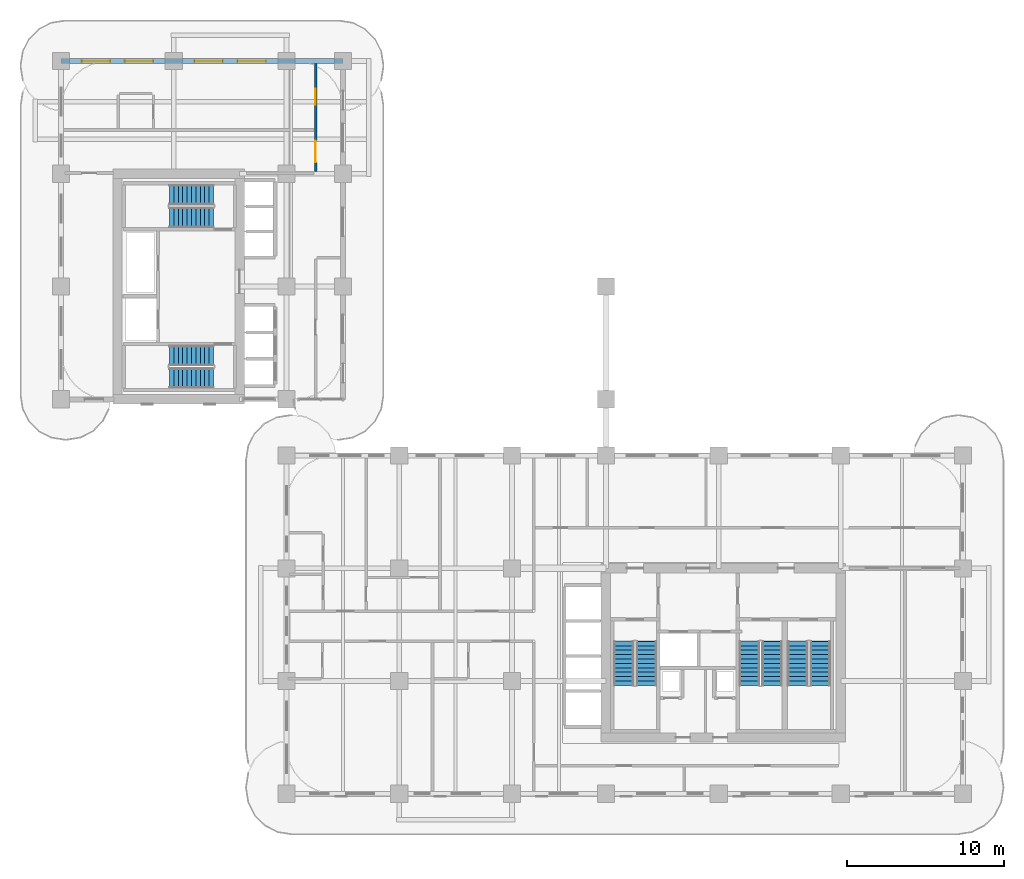
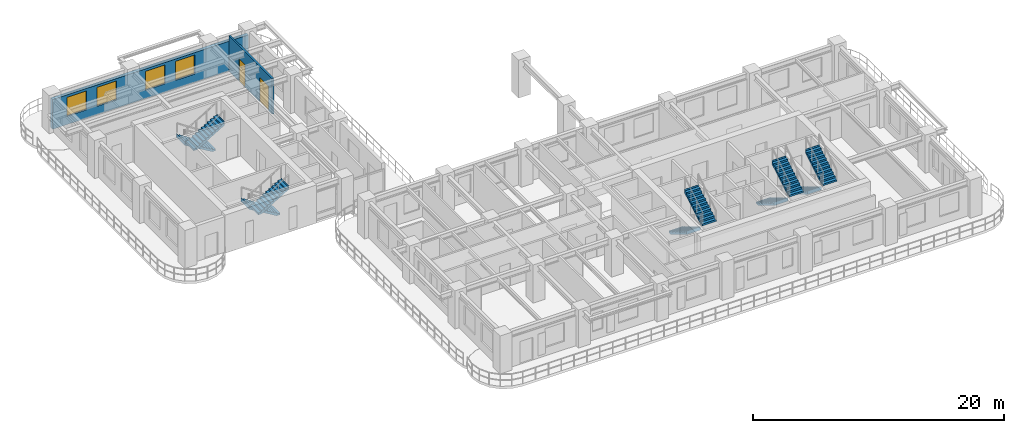
# One storey, part 12 of 19: 10 stair flights, 4 windows, 2 doors, 2 walls, 6 openings, 5 elements without a shape of their own.
"""IFC4 building model written with IfcOpenShell, lengths in metres."""

from ifc_helpers import new_model, si_unit, derived_unit, direction, frame, frame_2d, origin, place, context, subcontext, project, spatial, polyline, rectangle, outline, extrude, source, transform, mapped, material, layer, layer_set, type_object, type_shapes, element, fill, aggregate, save


model = new_model("IFC4")

# Units and contexts
model_context = context("Model", 3, precision=1e-05, world=origin(), true_north=direction((0.0, 1.0)))
body_context = subcontext(model_context, "Body", "Model", "MODEL_VIEW")
ifc_project = project(units=[si_unit("LENGTHUNIT", "METRE"), si_unit("AREAUNIT", "SQUARE_METRE"), si_unit("VOLUMEUNIT", "CUBIC_METRE"), si_unit("PLANEANGLEUNIT", "RADIAN"), si_unit("MASSUNIT", "GRAM", prefix="KILO"), si_unit("THERMODYNAMICTEMPERATUREUNIT", "KELVIN"), si_unit("POWERUNIT", "WATT"), derived_unit("THERMALTRANSMITTANCEUNIT", [(si_unit("POWERUNIT", "WATT"), 1), (si_unit("AREAUNIT", "SQUARE_METRE"), -1), (si_unit("THERMODYNAMICTEMPERATUREUNIT", "KELVIN"), -1)])], contexts=[model_context])

# Site, building, storey
site_placement = place(None, origin())
site = spatial("IfcSite", under=ifc_project, at=site_placement, CompositionType="ELEMENT")
building_placement = place(site_placement, origin())
building = spatial("IfcBuilding", under=site, at=building_placement, Name="Zahravan Archway Hotel and Residences", CompositionType="ELEMENT")
storey_placement = place(building_placement, frame((0.0, 0.0, 39.800048828125)))
storey = spatial("IfcBuildingStorey", under=building, at=storey_placement, Name="L08", CompositionType="ELEMENT", Elevation=39.800048828125)

# Wall, openings, windows
ifc_material_1 = material(Name="Agra Buff Sandstone & Insulated Backup", Category="masonry")
ifc_layer_1 = layer(ifc_material_1, 0.320068359375, Name="Agra Buff Sandstone & Insulated Backup", Category="masonry")
ifc_layer_set_1 = layer_set([ifc_layer_1], Name="Agra Buff Sandstone & Insulated Backup")
wall_type_1 = type_object("IfcWallType", Name="EW-SAND-320", PredefinedType="SOLIDWALL", material=ifc_layer_set_1)
wall_1_placement = place(storey_placement, frame((0.0, 46.800048828125, 0.0), z_axis=(0.0, 0.0, 1.0), x_axis=(1.0, 0.0, 0.0)))
wall_1 = element("IfcWall", 1, at=wall_1_placement, inside=storey, type_object=wall_type_1, Name="L08 Exterior Sandstone Wall WB-N", PredefinedType="SOLIDWALL", context=body_context, shape_type="SweptSolid", body=[
    extrude(rectangle(XDim=18.0, YDim=0.320068359375, at=frame_2d((9.0, 0.0))), origin(), (0.0, 0.0, 1.0), 2.885009765625),
])
opening_1_placement = place(wall_1_placement, frame((1.324951171875, 0.0, 0.800048828125)))
opening_1 = element("IfcOpeningElement", 2, at=opening_1_placement, cuts=wall_1, Name="Opening W-02", PredefinedType="OPENING", context=body_context, shape_type="SweptSolid", body=[
    extrude(rectangle(XDim=1.800048828125, YDim=1.85009765625, at=frame_2d((0.89990234375, 0.925048828125))), frame((0.0, 0.169921875, 0.0), z_axis=(0.0, -1.0, 0.0), x_axis=(1.0, 0.0, 0.0)), (0.0, 0.0, 1.0), 0.340087890625),
])
opening_2_placement = place(wall_1_placement, frame((4.074951171875, 0.0, 0.800048828125)))
opening_2 = element("IfcOpeningElement", 3, at=opening_2_placement, cuts=wall_1, Name="Opening W-02", PredefinedType="OPENING", context=body_context, shape_type="SweptSolid", body=[
    extrude(rectangle(XDim=1.800048828125, YDim=1.85009765625, at=frame_2d((0.89990234375, 0.925048828125))), frame((0.0, 0.169921875, 0.0), z_axis=(0.0, -1.0, 0.0), x_axis=(1.0, 0.0, 0.0)), (0.0, 0.0, 1.0), 0.340087890625),
])
opening_3_placement = place(wall_1_placement, frame((8.52490234375, 0.0, 0.800048828125)))
opening_3 = element("IfcOpeningElement", 4, at=opening_3_placement, cuts=wall_1, Name="Opening W-02", PredefinedType="OPENING", context=body_context, shape_type="SweptSolid", body=[
    extrude(rectangle(XDim=1.800048828125, YDim=1.85009765625, at=frame_2d((0.89990234375, 0.925048828125))), frame((0.0, 0.169921875, 0.0), z_axis=(0.0, -1.0, 0.0), x_axis=(1.0, 0.0, 0.0)), (0.0, 0.0, 1.0), 0.340087890625),
])
opening_4_placement = place(wall_1_placement, frame((11.27490234375, 0.0, 0.800048828125)))
opening_4 = element("IfcOpeningElement", 5, at=opening_4_placement, cuts=wall_1, Name="Opening W-02", PredefinedType="OPENING", context=body_context, shape_type="SweptSolid", body=[
    extrude(rectangle(XDim=1.800048828125, YDim=1.85009765625, at=frame_2d((0.89990234375, 0.925048828125))), frame((0.0, 0.169921875, 0.0), z_axis=(0.0, -1.0, 0.0), x_axis=(1.0, 0.0, 0.0)), (0.0, 0.0, 1.0), 0.340087890625),
])
ifc_material_2 = material(Name="Bronze-Anodized Thermal-Break Aluminium & Low-E Glass", Category="aluminium")
window_type = type_object("IfcWindowType", Name="WIN-TWR-1800", PartitioningType="DOUBLE_PANEL_VERTICAL", PredefinedType="WINDOW", material=ifc_material_2)
shared_shape_1 = source(origin(), body_context, "Body", "SweptSolid", [
    extrude(rectangle(XDim=1.800048828125, YDim=1.85009765625, at=frame_2d((0.89990234375, 0.925048828125))), frame((0.0, 0.030029296875, 0.0), z_axis=(0.0, -1.0, 0.0), x_axis=(1.0, 0.0, 0.0)), (0.0, 0.0, 1.0), 0.06005859375),
])
type_shapes(window_type, [shared_shape_1])
window_1_placement = place(opening_1_placement, origin())
window_1 = element("IfcWindow", 6, at=window_1_placement, inside=storey, type_object=window_type, Name="L08 Loggia Window 38", OverallHeight=1.85009765625, OverallWidth=1.800048828125, PartitioningType="DOUBLE_PANEL_VERTICAL", PredefinedType="WINDOW", context=body_context, shape_type="MappedRepresentation", body=[
    mapped(shared_shape_1, transform((0.0, 0.0, 0.0), scale=1.0)),
])
fill(opening_1, window_1)
window_2_placement = place(opening_2_placement, origin())
window_2 = element("IfcWindow", 7, at=window_2_placement, inside=storey, type_object=window_type, Name="L08 Loggia Window 39", OverallHeight=1.85009765625, OverallWidth=1.800048828125, PartitioningType="DOUBLE_PANEL_VERTICAL", PredefinedType="WINDOW", context=body_context, shape_type="MappedRepresentation", body=[
    mapped(shared_shape_1, transform((0.0, 0.0, 0.0), scale=1.0)),
])
fill(opening_2, window_2)
window_3_placement = place(opening_3_placement, origin())
window_3 = element("IfcWindow", 8, at=window_3_placement, inside=storey, type_object=window_type, Name="L08 Loggia Window 40", OverallHeight=1.85009765625, OverallWidth=1.800048828125, PartitioningType="DOUBLE_PANEL_VERTICAL", PredefinedType="WINDOW", context=body_context, shape_type="MappedRepresentation", body=[
    mapped(shared_shape_1, transform((0.0, 0.0, 0.0), scale=1.0)),
])
fill(opening_3, window_3)
window_4_placement = place(opening_4_placement, origin())
window_4 = element("IfcWindow", 9, at=window_4_placement, inside=storey, type_object=window_type, Name="L08 Loggia Window 41", OverallHeight=1.85009765625, OverallWidth=1.800048828125, PartitioningType="DOUBLE_PANEL_VERTICAL", PredefinedType="WINDOW", context=body_context, shape_type="MappedRepresentation", body=[
    mapped(shared_shape_1, transform((0.0, 0.0, 0.0), scale=1.0)),
])
fill(opening_4, window_4)

# Wall, openings, doors
ifc_material_3 = material(Name="Fire-Rated Gypsum & Concrete Block", Category="concrete")
ifc_layer_2 = layer(ifc_material_3, 0.159912109375, Name="Fire-Rated Gypsum & Concrete Block", Category="concrete")
ifc_layer_set_2 = layer_set([ifc_layer_2], Name="Fire-Rated Gypsum & Concrete Block")
wall_type_2 = type_object("IfcWallType", Name="PW-CORR-160", PredefinedType="PARTITIONING", material=ifc_layer_set_2)
wall_2_placement = place(storey_placement, frame((16.25, 39.739990234375, 0.0), z_axis=(0.0, 0.0, 1.0), x_axis=(0.0, 1.0, 0.0)))
wall_2 = element("IfcWall", 10, at=wall_2_placement, inside=storey, type_object=wall_type_2, Name="L08 Partition WB-CN", PredefinedType="PARTITIONING", context=body_context, shape_type="SweptSolid", body=[
    extrude(rectangle(XDim=6.89208984375, YDim=0.159912109375, at=frame_2d((3.446044921875, 0.0))), origin(), (0.0, 0.0, 1.0), 3.449951171875),
])
opening_5_placement = place(wall_2_placement, frame((0.5849609375, 0.0, 0.0)))
opening_5 = element("IfcOpeningElement", 11, at=opening_5_placement, cuts=wall_2, Name="Opening D-P1", PredefinedType="OPENING", context=body_context, shape_type="SweptSolid", body=[
    extrude(rectangle(XDim=1.39990234375, YDim=2.35009765625, at=frame_2d((0.699951171875, 1.175048828125))), frame((0.0, 0.08984375, 0.0), z_axis=(0.0, -1.0, 0.0), x_axis=(1.0, 0.0, 0.0)), (0.0, 0.0, 1.0), 0.179931640625),
])
opening_6_placement = place(wall_2_placement, frame((4.284912109375, 0.0, 0.0)))
opening_6 = element("IfcOpeningElement", 12, at=opening_6_placement, cuts=wall_2, Name="Opening D-U2", PredefinedType="OPENING", context=body_context, shape_type="SweptSolid", body=[
    extrude(rectangle(XDim=1.0, YDim=2.199951171875, at=frame_2d((0.5, 1.10009765625))), frame((0.0, 0.08984375, 0.0), z_axis=(0.0, -1.0, 0.0), x_axis=(1.0, 0.0, 0.0)), (0.0, 0.0, 1.0), 0.179931640625),
])
ifc_material_4 = material(Name="Bronze-Anodized Glazed Aluminium", Category="aluminium")
door_type_1 = type_object("IfcDoorType", Name="ID-PUBLIC-1400", OperationType="DOUBLE_DOOR_SINGLE_SWING", PredefinedType="DOOR", material=ifc_material_4)
shared_shape_2 = source(origin(), body_context, "Body", "SweptSolid", [
    extrude(rectangle(XDim=1.39990234375, YDim=2.35009765625, at=frame_2d((0.699951171875, 1.175048828125))), frame((0.0, 0.02490234375, 0.0), z_axis=(0.0, -1.0, 0.0), x_axis=(1.0, 0.0, 0.0)), (0.0, 0.0, 1.0), 0.050048828125),
])
type_shapes(door_type_1, [shared_shape_2])
door_1_placement = place(opening_5_placement, origin())
door_1 = element("IfcDoor", 13, at=door_1_placement, inside=storey, type_object=door_type_1, Name="L08 Wing B Wellness Lounge Door", OperationType="DOUBLE_DOOR_SINGLE_SWING", OverallHeight=2.35009765625, OverallWidth=1.39990234375, PredefinedType="DOOR", context=body_context, shape_type="MappedRepresentation", body=[
    mapped(shared_shape_2, transform((0.0, 0.0, 0.0), scale=1.0)),
])
fill(opening_5, door_1)
ifc_material_5 = material(Name="Hardwood Veneer Timber", Category="wood")
door_type_2 = type_object("IfcDoorType", Name="ID-UNIT-1000", OperationType="NOTDEFINED", PredefinedType="DOOR", material=ifc_material_5)
shared_shape_3 = source(origin(), body_context, "Body", "SweptSolid", [
    extrude(rectangle(XDim=1.0, YDim=2.199951171875, at=frame_2d((0.5, 1.10009765625))), frame((0.0, 0.02490234375, 0.0), z_axis=(0.0, -1.0, 0.0), x_axis=(1.0, 0.0, 0.0)), (0.0, 0.0, 1.0), 0.050048828125),
])
type_shapes(door_type_2, [shared_shape_3])
door_2_placement = place(opening_6_placement, origin())
door_2 = element("IfcDoor", 14, at=door_2_placement, inside=storey, type_object=door_type_2, Name="L08 Hotel Guestroom 63 Entrance Door", OperationType="SINGLE_SWING_RIGHT", OverallHeight=2.199951171875, OverallWidth=1.0, PredefinedType="DOOR", context=body_context, shape_type="MappedRepresentation", body=[
    mapped(shared_shape_3, transform((0.0, 0.0, 0.0), scale=1.0)),
])
fill(opening_6, door_2)

# Stair, stair flights
ifc_material_6 = material(Name="Concrete C50/60", Category="concrete")
stair_type = type_object("IfcStairType", Name="STR-CORE-1300", PredefinedType="HALF_TURN_STAIR", material=ifc_material_6)
stair_1_placement = place(storey_placement, origin())
stair_1 = element("IfcStair", 15, at=stair_1_placement, inside=storey, type_object=stair_type, Name="L08 Core A Exit Stair 1", PredefinedType="HALF_TURN_STAIR")
ifc_layer_3 = layer(ifc_material_6, 0.199951171875, Name="Concrete C50/60", Category="concrete")
ifc_layer_set_3 = layer_set([ifc_layer_3], Name="Concrete C50/60")
stair_flight_type = type_object("IfcStairFlightType", Name="SFL-CORE-1300", PredefinedType="STRAIGHT", material=ifc_layer_set_3)
shared_shape_4 = source(origin(), body_context, "Body", "SweptSolid", [
    extrude(outline(polyline([(-0.01611328125, 0.0), (-0.01611328125, 0.168212890625), (0.280029296875, 0.168212890625), (0.280029296875, 0.33642578125), (0.56005859375, 0.33642578125), (0.56005859375, 0.504638671875), (0.840087890625, 0.504638671875), (0.840087890625, 0.672607421875), (1.1201171875, 0.672607421875), (1.1201171875, 0.8408203125), (1.39990234375, 0.8408203125), (1.39990234375, 1.009033203125), (1.679931640625, 1.009033203125), (1.679931640625, 1.17724609375), (1.9599609375, 1.17724609375), (1.9599609375, 1.345458984375), (2.239990234375, 1.345458984375), (2.239990234375, 1.513671875), (2.52001953125, 1.513671875), (2.52001953125, 1.681884765625), (2.800048828125, 1.681884765625), (2.800048828125, 1.85009765625), (2.816162109375, 1.85009765625), (2.816162109375, 1.5068359375), (0.291015625, 0.0), (-0.01611328125, 0.0)])), frame((0.0, 0.64990234375, 0.0), z_axis=(0.0, -1.0, 0.0), x_axis=(1.0, 0.0, 0.0)), (0.0, 0.0, 1.0), 1.300048828125),
])
stair_flight_1_placement = place(storey_placement, frame((35.949951171875, 9.72998046875, 0.0), z_axis=(0.0, 0.0, 1.0), x_axis=(0.0, -1.0, 0.0)))
stair_flight_1 = element("IfcStairFlight", 16, at=stair_flight_1_placement, type_object=stair_flight_type, Name="ST-A1 flight 1", NumberOfRisers=11, NumberOfTreads=10, PredefinedType="STRAIGHT", RiserHeight=0.168181818, TreadLength=0.28, context=body_context, shape_type="MappedRepresentation", body=[
    mapped(shared_shape_4, transform((0.0, 0.0, 0.0), scale=1.0)),
])
stair_flight_2_placement = place(storey_placement, frame((37.389892578125, 6.929931640625, 1.849853515625), z_axis=(0.0, 0.0, 1.0), x_axis=(0.0, 1.0, 0.0)))
stair_flight_2 = element("IfcStairFlight", 17, at=stair_flight_2_placement, type_object=stair_flight_type, Name="ST-A1 flight 2", NumberOfRisers=11, NumberOfTreads=10, PredefinedType="STRAIGHT", RiserHeight=0.168181818, TreadLength=0.28, context=body_context, shape_type="MappedRepresentation", body=[
    mapped(shared_shape_4, transform((0.0, 0.0, 0.0), scale=1.0)),
])
aggregate(stair_1, [stair_flight_1, stair_flight_2])

stair_2_placement = place(storey_placement, origin())
stair_2 = element("IfcStair", 18, at=stair_2_placement, inside=storey, type_object=stair_type, Name="L08 Core A Exit Stair 2", PredefinedType="HALF_TURN_STAIR")
stair_flight_3_placement = place(storey_placement, frame((43.969970703125, 9.72998046875, 0.0), z_axis=(0.0, 0.0, 1.0), x_axis=(0.0, -1.0, 0.0)))
stair_flight_3 = element("IfcStairFlight", 19, at=stair_flight_3_placement, type_object=stair_flight_type, Name="ST-A2 flight 1", NumberOfRisers=11, NumberOfTreads=10, PredefinedType="STRAIGHT", RiserHeight=0.168181818, TreadLength=0.28, context=body_context, shape_type="MappedRepresentation", body=[
    mapped(shared_shape_4, transform((0.0, 0.0, 0.0), scale=1.0)),
])
stair_flight_4_placement = place(storey_placement, frame((45.409912109375, 6.929931640625, 1.849853515625), z_axis=(0.0, 0.0, 1.0), x_axis=(0.0, 1.0, 0.0)))
stair_flight_4 = element("IfcStairFlight", 20, at=stair_flight_4_placement, type_object=stair_flight_type, Name="ST-A2 flight 2", NumberOfRisers=11, NumberOfTreads=10, PredefinedType="STRAIGHT", RiserHeight=0.168181818, TreadLength=0.28, context=body_context, shape_type="MappedRepresentation", body=[
    mapped(shared_shape_4, transform((0.0, 0.0, 0.0), scale=1.0)),
])
aggregate(stair_2, [stair_flight_3, stair_flight_4])

stair_3_placement = place(storey_placement, origin())
stair_3 = element("IfcStair", 21, at=stair_3_placement, inside=storey, type_object=stair_type, Name="L08 Core A Exit Stair 3", PredefinedType="HALF_TURN_STAIR")
stair_flight_5_placement = place(storey_placement, frame((47.050048828125, 9.72998046875, 0.0), z_axis=(0.0, 0.0, 1.0), x_axis=(0.0, -1.0, 0.0)))
stair_flight_5 = element("IfcStairFlight", 22, at=stair_flight_5_placement, type_object=stair_flight_type, Name="ST-A3 flight 1", NumberOfRisers=11, NumberOfTreads=10, PredefinedType="STRAIGHT", RiserHeight=0.168181818, TreadLength=0.28, context=body_context, shape_type="MappedRepresentation", body=[
    mapped(shared_shape_4, transform((0.0, 0.0, 0.0), scale=1.0)),
])
stair_flight_6_placement = place(storey_placement, frame((48.489990234375, 6.929931640625, 1.849853515625), z_axis=(0.0, 0.0, 1.0), x_axis=(0.0, 1.0, 0.0)))
stair_flight_6 = element("IfcStairFlight", 23, at=stair_flight_6_placement, type_object=stair_flight_type, Name="ST-A3 flight 2", NumberOfRisers=11, NumberOfTreads=10, PredefinedType="STRAIGHT", RiserHeight=0.168181818, TreadLength=0.28, context=body_context, shape_type="MappedRepresentation", body=[
    mapped(shared_shape_4, transform((0.0, 0.0, 0.0), scale=1.0)),
])
aggregate(stair_3, [stair_flight_5, stair_flight_6])

stair_4_placement = place(storey_placement, origin())
stair_4 = element("IfcStair", 24, at=stair_4_placement, inside=storey, type_object=stair_type, Name="L08 Core B Exit Stair 1", PredefinedType="HALF_TURN_STAIR")
stair_flight_7_placement = place(storey_placement, frame((9.72998046875, 27.989990234375, 0.0), z_axis=(0.0, 0.0, 1.0), x_axis=(-1.0, 0.0, 0.0)))
stair_flight_7 = element("IfcStairFlight", 25, at=stair_flight_7_placement, type_object=stair_flight_type, Name="ST-B1 flight 1", NumberOfRisers=11, NumberOfTreads=10, PredefinedType="STRAIGHT", RiserHeight=0.168181818, TreadLength=0.28, context=body_context, shape_type="MappedRepresentation", body=[
    mapped(shared_shape_4, transform((0.0, 0.0, 0.0), scale=1.0)),
])
stair_flight_8_placement = place(storey_placement, frame((6.929931640625, 26.550048828125, 1.849853515625), z_axis=(0.0, 0.0, 1.0), x_axis=(1.0, 0.0, 0.0)))
stair_flight_8 = element("IfcStairFlight", 26, at=stair_flight_8_placement, type_object=stair_flight_type, Name="ST-B1 flight 2", NumberOfRisers=11, NumberOfTreads=10, PredefinedType="STRAIGHT", RiserHeight=0.168181818, TreadLength=0.28, context=body_context, shape_type="MappedRepresentation", body=[
    mapped(shared_shape_4, transform((0.0, 0.0, 0.0), scale=1.0)),
])
aggregate(stair_4, [stair_flight_7, stair_flight_8])

stair_5_placement = place(storey_placement, origin())
stair_5 = element("IfcStair", 27, at=stair_5_placement, inside=storey, type_object=stair_type, Name="L08 Core B Exit Stair 2", PredefinedType="HALF_TURN_STAIR")
stair_flight_9_placement = place(storey_placement, frame((9.72998046875, 38.25, 0.0), z_axis=(0.0, 0.0, 1.0), x_axis=(-1.0, 0.0, 0.0)))
stair_flight_9 = element("IfcStairFlight", 28, at=stair_flight_9_placement, type_object=stair_flight_type, Name="ST-B2 flight 1", NumberOfRisers=11, NumberOfTreads=10, PredefinedType="STRAIGHT", RiserHeight=0.168181818, TreadLength=0.28, context=body_context, shape_type="MappedRepresentation", body=[
    mapped(shared_shape_4, transform((0.0, 0.0, 0.0), scale=1.0)),
])
stair_flight_10_placement = place(storey_placement, frame((6.929931640625, 36.81005859375, 1.849853515625), z_axis=(0.0, 0.0, 1.0), x_axis=(1.0, 0.0, 0.0)))
stair_flight_10 = element("IfcStairFlight", 29, at=stair_flight_10_placement, type_object=stair_flight_type, Name="ST-B2 flight 2", NumberOfRisers=11, NumberOfTreads=10, PredefinedType="STRAIGHT", RiserHeight=0.168181818, TreadLength=0.28, context=body_context, shape_type="MappedRepresentation", body=[
    mapped(shared_shape_4, transform((0.0, 0.0, 0.0), scale=1.0)),
])
aggregate(stair_5, [stair_flight_9, stair_flight_10])

save(model, "model.ifc")
